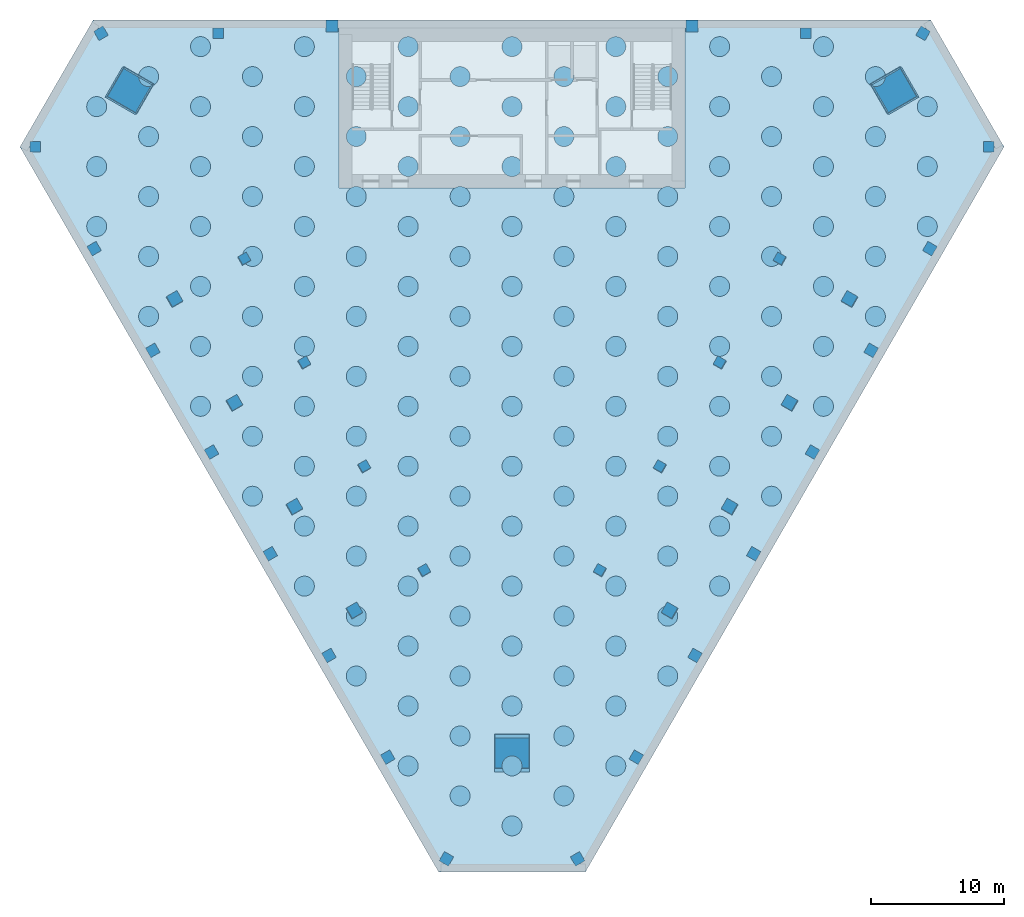
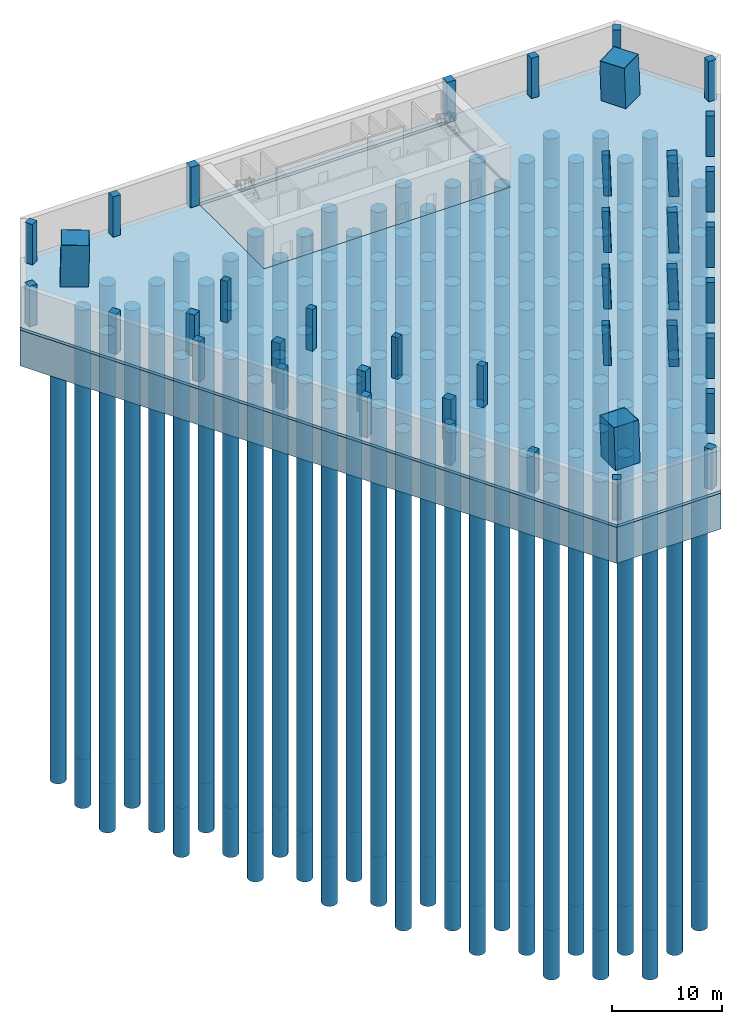
# One storey, part 1 of 5: 154 piles, 41 columns, 3 members, 1 footing, 1 slab.
"""IFC4 building model written with IfcOpenShell, lengths in metres."""

from ifc_helpers import new_model, si_unit, direction, frame, origin, origin_2d, place, context, subcontext, project, spatial, polyline, rectangle, hollow_rectangle, circle, outline, extrude, material, layer, layer_set, material_profile, profile_set, type_object, element, save


model = new_model("IFC4")

# Units and contexts
model_context = context("Model", 3, precision=1e-05, world=origin(), true_north=direction((0.0, 1.0)))
body_context = subcontext(model_context, "Body", "Model", "MODEL_VIEW")
ifc_project = project(units=[si_unit("LENGTHUNIT", "METRE"), si_unit("AREAUNIT", "SQUARE_METRE"), si_unit("VOLUMEUNIT", "CUBIC_METRE"), si_unit("PLANEANGLEUNIT", "RADIAN"), si_unit("MASSUNIT", "GRAM", prefix="KILO")], contexts=[model_context])

# Site, building, storey
site_placement = place(None, origin())
site = spatial("IfcSite", under=ifc_project, at=site_placement, CompositionType="ELEMENT")
building_placement = place(site_placement, origin())
building = spatial("IfcBuilding", under=site, at=building_placement, Name="Altiplano Prism Tower", CompositionType="ELEMENT")
storey_placement = place(building_placement, frame((0.0, 0.0, -9.0)))
storey = spatial("IfcBuildingStorey", under=building, at=storey_placement, Name="B2", CompositionType="ELEMENT", Elevation=-9.0)

# Piles
ifc_material_1 = material(Name="Concrete C35/45", Category="concrete")
ifc_material_profile_1 = material_profile(ifc_material_1, circle(Radius=0.75, at=origin_2d()), Name="Bored pile 1500")
ifc_profile_set_1 = profile_set([ifc_material_profile_1], Name="Concrete C35/45")
pile_type = type_object("IfcPileType", Name="Bored pile 1500", PredefinedType="BORED", material=ifc_profile_set_1)
for number, where, z_axis, x_axis, name in (
    (1, (85.0, 44.5, -4.199951171875), (0.0, 0.0, -1.0), (1.0, 0.0, 0.0), "Pile 001"),
    (2, (81.102783203125, 46.75, -4.199951171875), (0.0, 0.0, -1.0), (1.0, 0.0, 0.0), "Pile 002"),
    (3, (88.897216796875, 46.75, -4.199951171875), (0.0, 0.0, -1.0), (1.0, 0.0, 0.0), "Pile 003"),
    (4, (77.205810546875, 49.0, -4.199951171875), (0.0, 0.0, -1.0), (1.0, 0.0, 0.0), "Pile 004"),
    (5, (85.0, 49.0, -4.199951171875), (0.0, 0.0, -1.0), (1.0, 0.0, 0.0), "Pile 005"),
    (6, (92.794189453125, 49.0, -4.199951171875), (0.0, 0.0, -1.0), (1.0, 0.0, 0.0), "Pile 006"),
    (7, (81.102783203125, 51.25, -4.199951171875), (0.0, 0.0, -1.0), (1.0, 0.0, 0.0), "Pile 007"),
    (8, (88.897216796875, 51.25, -4.199951171875), (0.0, 0.0, -1.0), (1.0, 0.0, 0.0), "Pile 008"),
    (9, (77.205810546875, 53.5, -4.199951171875), (0.0, 0.0, -1.0), (1.0, 0.0, 0.0), "Pile 009"),
    (10, (85.0, 53.5, -4.199951171875), (0.0, 0.0, -1.0), (1.0, 0.0, 0.0), "Pile 010"),
    (11, (92.794189453125, 53.5, -4.199951171875), (0.0, 0.0, -1.0), (1.0, 0.0, 0.0), "Pile 011"),
    (12, (73.30859375, 55.75, -4.199951171875), (0.0, 0.0, -1.0), (1.0, 0.0, 0.0), "Pile 012"),
    (13, (81.102783203125, 55.75, -4.199951171875), (0.0, 0.0, -1.0), (1.0, 0.0, 0.0), "Pile 013"),
    (14, (88.897216796875, 55.75, -4.199951171875), (0.0, 0.0, -1.0), (1.0, 0.0, 0.0), "Pile 014"),
    (15, (96.69140625, 55.75, -4.199951171875), (0.0, 0.0, -1.0), (1.0, 0.0, 0.0), "Pile 015"),
    (16, (77.205810546875, 58.0, -4.199951171875), (0.0, 0.0, -1.0), (1.0, 0.0, 0.0), "Pile 016"),
    (17, (85.0, 58.0, -4.199951171875), (0.0, 0.0, -1.0), (1.0, 0.0, 0.0), "Pile 017"),
    (18, (92.794189453125, 58.0, -4.199951171875), (0.0, 0.0, -1.0), (1.0, 0.0, 0.0), "Pile 018"),
    (19, (73.30859375, 60.25, -4.199951171875), (0.0, 0.0, -1.0), (1.0, 0.0, 0.0), "Pile 019"),
    (20, (81.102783203125, 60.25, -4.199951171875), (0.0, 0.0, -1.0), (1.0, 0.0, 0.0), "Pile 020"),
    (21, (88.897216796875, 60.25, -4.199951171875), (0.0, 0.0, -1.0), (1.0, 0.0, 0.0), "Pile 021"),
    (22, (96.69140625, 60.25, -4.199951171875), (0.0, 0.0, -1.0), (1.0, 0.0, 0.0), "Pile 022"),
    (23, (69.41162109375, 62.5, -4.199951171875), (0.0, 0.0, -1.0), (1.0, 0.0, 0.0), "Pile 023"),
    (24, (77.205810546875, 62.5, -4.199951171875), (0.0, 0.0, -1.0), (1.0, 0.0, 0.0), "Pile 024"),
    (25, (85.0, 62.5, -4.199951171875), (0.0, 0.0, -1.0), (1.0, 0.0, 0.0), "Pile 025"),
    (26, (92.794189453125, 62.5, -4.199951171875), (0.0, 0.0, -1.0), (1.0, 0.0, 0.0), "Pile 026"),
    (27, (100.58837890625, 62.5, -4.199951171875), (0.0, 0.0, -1.0), (1.0, 0.0, 0.0), "Pile 027"),
    (28, (73.30859375, 64.75, -4.199951171875), (0.0, 0.0, -1.0), (1.0, 0.0, 0.0), "Pile 028"),
    (29, (81.102783203125, 64.75, -4.199951171875), (0.0, 0.0, -1.0), (1.0, 0.0, 0.0), "Pile 029"),
    (30, (88.897216796875, 64.75, -4.199951171875), (0.0, 0.0, -1.0), (1.0, 0.0, 0.0), "Pile 030"),
    (31, (96.69140625, 64.75, -4.199951171875), (0.0, 0.0, -1.0), (1.0, 0.0, 0.0), "Pile 031"),
    (32, (69.41162109375, 67.0, -4.199951171875), (0.0, 0.0, -1.0), (1.0, 0.0, 0.0), "Pile 032"),
    (33, (77.205810546875, 67.0, -4.199951171875), (0.0, 0.0, -1.0), (1.0, 0.0, 0.0), "Pile 033"),
    (34, (85.0, 67.0, -4.199951171875), (0.0, 0.0, -1.0), (1.0, 0.0, 0.0), "Pile 034"),
    (35, (92.794189453125, 67.0, -4.199951171875), (0.0, 0.0, -1.0), (1.0, 0.0, 0.0), "Pile 035"),
    (36, (100.58837890625, 67.0, -4.199951171875), (0.0, 0.0, -1.0), (1.0, 0.0, 0.0), "Pile 036"),
    (37, (65.514404296875, 69.25, -4.199951171875), (0.0, 0.0, -1.0), (1.0, 0.0, 0.0), "Pile 037"),
    (38, (73.30859375, 69.25, -4.199951171875), (0.0, 0.0, -1.0), (1.0, 0.0, 0.0), "Pile 038"),
    (39, (81.102783203125, 69.25, -4.199951171875), (0.0, 0.0, -1.0), (1.0, 0.0, 0.0), "Pile 039"),
    (40, (88.897216796875, 69.25, -4.199951171875), (0.0, 0.0, -1.0), (1.0, 0.0, 0.0), "Pile 040"),
    (41, (96.69140625, 69.25, -4.199951171875), (0.0, 0.0, -1.0), (1.0, 0.0, 0.0), "Pile 041"),
    (42, (104.485595703125, 69.25, -4.199951171875), (0.0, 0.0, -1.0), (1.0, 0.0, 0.0), "Pile 042"),
    (43, (69.41162109375, 71.5, -4.199951171875), (0.0, 0.0, -1.0), (1.0, 0.0, 0.0), "Pile 043"),
    (44, (77.205810546875, 71.5, -4.199951171875), (0.0, 0.0, -1.0), (1.0, 0.0, 0.0), "Pile 044"),
    (45, (85.0, 71.5, -4.199951171875), (0.0, 0.0, -1.0), (1.0, 0.0, 0.0), "Pile 045"),
    (46, (92.794189453125, 71.5, -4.199951171875), (0.0, 0.0, -1.0), (1.0, 0.0, 0.0), "Pile 046"),
    (47, (100.58837890625, 71.5, -4.199951171875), (0.0, 0.0, -1.0), (1.0, 0.0, 0.0), "Pile 047"),
    (48, (65.514404296875, 73.75, -4.199951171875), (0.0, 0.0, -1.0), (1.0, 0.0, 0.0), "Pile 048"),
    (49, (73.30859375, 73.75, -4.199951171875), (0.0, 0.0, -1.0), (1.0, 0.0, 0.0), "Pile 049"),
    (50, (81.102783203125, 73.75, -4.199951171875), (0.0, 0.0, -1.0), (1.0, 0.0, 0.0), "Pile 050"),
    (51, (88.897216796875, 73.75, -4.199951171875), (0.0, 0.0, -1.0), (1.0, 0.0, 0.0), "Pile 051"),
    (52, (96.69140625, 73.75, -4.199951171875), (0.0, 0.0, -1.0), (1.0, 0.0, 0.0), "Pile 052"),
    (53, (104.485595703125, 73.75, -4.199951171875), (0.0, 0.0, -1.0), (1.0, 0.0, 0.0), "Pile 053"),
    (54, (61.617431640625, 76.0, -4.199951171875), (0.0, 0.0, -1.0), (1.0, 0.0, 0.0), "Pile 054"),
    (55, (69.41162109375, 76.0, -4.199951171875), (0.0, 0.0, -1.0), (1.0, 0.0, 0.0), "Pile 055"),
    (56, (77.205810546875, 76.0, -4.199951171875), (0.0, 0.0, -1.0), (1.0, 0.0, 0.0), "Pile 056"),
    (57, (85.0, 76.0, -4.199951171875), (0.0, 0.0, -1.0), (1.0, 0.0, 0.0), "Pile 057"),
    (58, (92.794189453125, 76.0, -4.199951171875), (0.0, 0.0, -1.0), (1.0, 0.0, 0.0), "Pile 058"),
    (59, (100.58837890625, 76.0, -4.199951171875), (0.0, 0.0, -1.0), (1.0, 0.0, 0.0), "Pile 059"),
    (60, (108.382568359375, 76.0, -4.199951171875), (0.0, 0.0, -1.0), (1.0, 0.0, 0.0), "Pile 060"),
    (61, (65.514404296875, 78.25, -4.199951171875), (0.0, 0.0, -1.0), (1.0, 0.0, 0.0), "Pile 061"),
    (62, (73.30859375, 78.25, -4.199951171875), (0.0, 0.0, -1.0), (1.0, 0.0, 0.0), "Pile 062"),
    (63, (81.102783203125, 78.25, -4.199951171875), (0.0, 0.0, -1.0), (1.0, 0.0, 0.0), "Pile 063"),
    (64, (88.897216796875, 78.25, -4.199951171875), (0.0, 0.0, -1.0), (1.0, 0.0, 0.0), "Pile 064"),
    (65, (96.69140625, 78.25, -4.199951171875), (0.0, 0.0, -1.0), (1.0, 0.0, 0.0), "Pile 065"),
    (66, (104.485595703125, 78.25, -4.199951171875), (0.0, 0.0, -1.0), (1.0, 0.0, 0.0), "Pile 066"),
    (67, (61.617431640625, 80.5, -4.199951171875), (0.0, 0.0, -1.0), (1.0, 0.0, 0.0), "Pile 067"),
    (68, (69.41162109375, 80.5, -4.199951171875), (0.0, 0.0, -1.0), (1.0, 0.0, 0.0), "Pile 068"),
    (69, (77.205810546875, 80.5, -4.199951171875), (0.0, 0.0, -1.0), (1.0, 0.0, 0.0), "Pile 069"),
    (70, (85.0, 80.5, -4.199951171875), (0.0, 0.0, -1.0), (1.0, 0.0, 0.0), "Pile 070"),
    (71, (92.794189453125, 80.5, -4.199951171875), (0.0, 0.0, -1.0), (1.0, 0.0, 0.0), "Pile 071"),
    (72, (100.58837890625, 80.5, -4.199951171875), (0.0, 0.0, -1.0), (1.0, 0.0, 0.0), "Pile 072"),
    (73, (108.382568359375, 80.5, -4.199951171875), (0.0, 0.0, -1.0), (1.0, 0.0, 0.0), "Pile 073"),
    (74, (57.72021484375, 82.75, -4.199951171875), (0.0, 0.0, -1.0), (1.0, 0.0, 0.0), "Pile 074"),
    (75, (65.514404296875, 82.75, -4.199951171875), (0.0, 0.0, -1.0), (1.0, 0.0, 0.0), "Pile 075"),
    (76, (73.30859375, 82.75, -4.199951171875), (0.0, 0.0, -1.0), (1.0, 0.0, 0.0), "Pile 076"),
    (77, (81.102783203125, 82.75, -4.199951171875), (0.0, 0.0, -1.0), (1.0, 0.0, 0.0), "Pile 077"),
    (78, (88.897216796875, 82.75, -4.199951171875), (0.0, 0.0, -1.0), (1.0, 0.0, 0.0), "Pile 078"),
    (79, (96.69140625, 82.75, -4.199951171875), (0.0, 0.0, -1.0), (1.0, 0.0, 0.0), "Pile 079"),
    (80, (104.485595703125, 82.75, -4.199951171875), (0.0, 0.0, -1.0), (1.0, 0.0, 0.0), "Pile 080"),
    (81, (112.27978515625, 82.75, -4.199951171875), (0.0, 0.0, -1.0), (1.0, 0.0, 0.0), "Pile 081"),
    (82, (61.617431640625, 85.0, -4.199951171875), (0.0, 0.0, -1.0), (1.0, 0.0, 0.0), "Pile 082"),
    (83, (69.41162109375, 85.0, -4.199951171875), (0.0, 0.0, -1.0), (1.0, 0.0, 0.0), "Pile 083"),
    (84, (77.205810546875, 85.0, -4.199951171875), (0.0, 0.0, -1.0), (1.0, 0.0, 0.0), "Pile 084"),
    (85, (85.0, 85.0, -4.199951171875), (0.0, 0.0, -1.0), (1.0, 0.0, 0.0), "Pile 085"),
    (86, (92.794189453125, 85.0, -4.199951171875), (0.0, 0.0, -1.0), (1.0, 0.0, 0.0), "Pile 086"),
    (87, (100.58837890625, 85.0, -4.199951171875), (0.0, 0.0, -1.0), (1.0, 0.0, 0.0), "Pile 087"),
    (88, (108.382568359375, 85.0, -4.199951171875), (0.0, 0.0, -1.0), (1.0, 0.0, 0.0), "Pile 088"),
    (89, (57.72021484375, 87.25, -4.199951171875), (0.0, 0.0, -1.0), (1.0, 0.0, 0.0), "Pile 089"),
    (90, (65.514404296875, 87.25, -4.199951171875), (0.0, 0.0, -1.0), (1.0, 0.0, 0.0), "Pile 090"),
    (91, (73.30859375, 87.25, -4.199951171875), (0.0, 0.0, -1.0), (1.0, 0.0, 0.0), "Pile 091"),
    (92, (81.102783203125, 87.25, -4.199951171875), (0.0, 0.0, -1.0), (1.0, 0.0, 0.0), "Pile 092"),
    (93, (88.897216796875, 87.25, -4.199951171875), (0.0, 0.0, -1.0), (1.0, 0.0, 0.0), "Pile 093"),
    (94, (96.69140625, 87.25, -4.199951171875), (0.0, 0.0, -1.0), (1.0, 0.0, 0.0), "Pile 094"),
    (95, (104.485595703125, 87.25, -4.199951171875), (0.0, 0.0, -1.0), (1.0, 0.0, 0.0), "Pile 095"),
    (96, (112.27978515625, 87.25, -4.199951171875), (0.0, 0.0, -1.0), (1.0, 0.0, 0.0), "Pile 096"),
    (97, (53.822998046875, 89.5, -4.199951171875), (0.0, 0.0, -1.0), (1.0, 0.0, 0.0), "Pile 097"),
    (98, (61.617431640625, 89.5, -4.199951171875), (0.0, 0.0, -1.0), (1.0, 0.0, 0.0), "Pile 098"),
    (99, (69.41162109375, 89.5, -4.199951171875), (0.0, 0.0, -1.0), (1.0, 0.0, 0.0), "Pile 099"),
    (100, (77.205810546875, 89.5, -4.199951171875), (0.0, 0.0, -1.0), (1.0, 0.0, 0.0), "Pile 100"),
    (101, (85.0, 89.5, -4.199951171875), (0.0, 0.0, -1.0), (1.0, 0.0, 0.0), "Pile 101"),
    (102, (92.794189453125, 89.5, -4.199951171875), (0.0, 0.0, -1.0), (1.0, 0.0, 0.0), "Pile 102"),
    (103, (100.58837890625, 89.5, -4.199951171875), (0.0, 0.0, -1.0), (1.0, 0.0, 0.0), "Pile 103"),
    (104, (108.382568359375, 89.5, -4.199951171875), (0.0, 0.0, -1.0), (1.0, 0.0, 0.0), "Pile 104"),
    (105, (116.177001953125, 89.5, -4.199951171875), (0.0, 0.0, -1.0), (1.0, 0.0, 0.0), "Pile 105"),
    (106, (57.72021484375, 91.75, -4.199951171875), (0.0, 0.0, -1.0), (1.0, 0.0, 0.0), "Pile 106"),
    (107, (65.514404296875, 91.75, -4.199951171875), (0.0, 0.0, -1.0), (1.0, 0.0, 0.0), "Pile 107"),
    (108, (73.30859375, 91.75, -4.199951171875), (0.0, 0.0, -1.0), (1.0, 0.0, 0.0), "Pile 108"),
    (109, (81.102783203125, 91.75, -4.199951171875), (0.0, 0.0, -1.0), (1.0, 0.0, 0.0), "Pile 109"),
    (110, (88.897216796875, 91.75, -4.199951171875), (0.0, 0.0, -1.0), (1.0, 0.0, 0.0), "Pile 110"),
    (111, (96.69140625, 91.75, -4.199951171875), (0.0, 0.0, -1.0), (1.0, 0.0, 0.0), "Pile 111"),
    (112, (104.485595703125, 91.75, -4.199951171875), (0.0, 0.0, -1.0), (1.0, 0.0, 0.0), "Pile 112"),
    (113, (112.27978515625, 91.75, -4.199951171875), (0.0, 0.0, -1.0), (1.0, 0.0, 0.0), "Pile 113"),
    (114, (53.822998046875, 94.0, -4.199951171875), (0.0, 0.0, -1.0), (1.0, 0.0, 0.0), "Pile 114"),
    (115, (61.617431640625, 94.0, -4.199951171875), (0.0, 0.0, -1.0), (1.0, 0.0, 0.0), "Pile 115"),
    (116, (69.41162109375, 94.0, -4.199951171875), (0.0, 0.0, -1.0), (1.0, 0.0, 0.0), "Pile 116"),
    (117, (77.205810546875, 94.0, -4.199951171875), (0.0, 0.0, -1.0), (1.0, 0.0, 0.0), "Pile 117"),
    (118, (85.0, 94.0, -4.199951171875), (0.0, 0.0, -1.0), (1.0, 0.0, 0.0), "Pile 118"),
    (119, (92.794189453125, 94.0, -4.199951171875), (0.0, 0.0, -1.0), (1.0, 0.0, 0.0), "Pile 119"),
    (120, (100.58837890625, 94.0, -4.199951171875), (0.0, 0.0, -1.0), (1.0, 0.0, 0.0), "Pile 120"),
    (121, (108.382568359375, 94.0, -4.199951171875), (0.0, 0.0, -1.0), (1.0, 0.0, 0.0), "Pile 121"),
    (122, (116.177001953125, 94.0, -4.199951171875), (0.0, 0.0, -1.0), (1.0, 0.0, 0.0), "Pile 122"),
    (123, (57.72021484375, 96.25, -4.199951171875), (0.0, 0.0, -1.0), (1.0, 0.0, 0.0), "Pile 123"),
    (124, (65.514404296875, 96.25, -4.199951171875), (0.0, 0.0, -1.0), (1.0, 0.0, 0.0), "Pile 124"),
    (125, (73.30859375, 96.25, -4.199951171875), (0.0, 0.0, -1.0), (1.0, 0.0, 0.0), "Pile 125"),
    (126, (81.102783203125, 96.25, -4.199951171875), (0.0, 0.0, -1.0), (1.0, 0.0, 0.0), "Pile 126"),
    (127, (88.897216796875, 96.25, -4.199951171875), (0.0, 0.0, -1.0), (1.0, 0.0, 0.0), "Pile 127"),
    (128, (96.69140625, 96.25, -4.199951171875), (0.0, 0.0, -1.0), (1.0, 0.0, 0.0), "Pile 128"),
    (129, (104.485595703125, 96.25, -4.199951171875), (0.0, 0.0, -1.0), (1.0, 0.0, 0.0), "Pile 129"),
    (130, (112.27978515625, 96.25, -4.199951171875), (0.0, 0.0, -1.0), (1.0, 0.0, 0.0), "Pile 130"),
    (131, (53.822998046875, 98.5, -4.199951171875), (0.0, 0.0, -1.0), (1.0, 0.0, 0.0), "Pile 131"),
    (132, (61.617431640625, 98.5, -4.199951171875), (0.0, 0.0, -1.0), (1.0, 0.0, 0.0), "Pile 132"),
    (133, (69.41162109375, 98.5, -4.199951171875), (0.0, 0.0, -1.0), (1.0, 0.0, 0.0), "Pile 133"),
    (134, (77.205810546875, 98.5, -4.199951171875), (0.0, 0.0, -1.0), (1.0, 0.0, 0.0), "Pile 134"),
    (135, (85.0, 98.5, -4.199951171875), (0.0, 0.0, -1.0), (1.0, 0.0, 0.0), "Pile 135"),
    (136, (92.794189453125, 98.5, -4.199951171875), (0.0, 0.0, -1.0), (1.0, 0.0, 0.0), "Pile 136"),
    (137, (100.58837890625, 98.5, -4.199951171875), (0.0, 0.0, -1.0), (1.0, 0.0, 0.0), "Pile 137"),
    (138, (108.382568359375, 98.5, -4.199951171875), (0.0, 0.0, -1.0), (1.0, 0.0, 0.0), "Pile 138"),
    (139, (116.177001953125, 98.5, -4.199951171875), (0.0, 0.0, -1.0), (1.0, 0.0, 0.0), "Pile 139"),
    (140, (57.72021484375, 100.75, -4.199951171875), (0.0, 0.0, -1.0), (1.0, 0.0, 0.0), "Pile 140"),
    (141, (65.514404296875, 100.75, -4.199951171875), (0.0, 0.0, -1.0), (1.0, 0.0, 0.0), "Pile 141"),
    (142, (73.30859375, 100.75, -4.199951171875), (0.0, 0.0, -1.0), (1.0, 0.0, 0.0), "Pile 142"),
    (143, (81.102783203125, 100.75, -4.199951171875), (0.0, 0.0, -1.0), (1.0, 0.0, 0.0), "Pile 143"),
    (144, (88.897216796875, 100.75, -4.199951171875), (0.0, 0.0, -1.0), (1.0, 0.0, 0.0), "Pile 144"),
    (145, (96.69140625, 100.75, -4.199951171875), (0.0, 0.0, -1.0), (1.0, 0.0, 0.0), "Pile 145"),
    (146, (104.485595703125, 100.75, -4.199951171875), (0.0, 0.0, -1.0), (1.0, 0.0, 0.0), "Pile 146"),
    (147, (112.27978515625, 100.75, -4.199951171875), (0.0, 0.0, -1.0), (1.0, 0.0, 0.0), "Pile 147"),
    (148, (61.617431640625, 103.0, -4.199951171875), (0.0, 0.0, -1.0), (1.0, 0.0, 0.0), "Pile 148"),
    (149, (69.41162109375, 103.0, -4.199951171875), (0.0, 0.0, -1.0), (1.0, 0.0, 0.0), "Pile 149"),
    (150, (77.205810546875, 103.0, -4.199951171875), (0.0, 0.0, -1.0), (1.0, 0.0, 0.0), "Pile 150"),
    (151, (85.0, 103.0, -4.199951171875), (0.0, 0.0, -1.0), (1.0, 0.0, 0.0), "Pile 151"),
    (152, (92.794189453125, 103.0, -4.199951171875), (0.0, 0.0, -1.0), (1.0, 0.0, 0.0), "Pile 152"),
    (153, (100.58837890625, 103.0, -4.199951171875), (0.0, 0.0, -1.0), (1.0, 0.0, 0.0), "Pile 153"),
    (154, (108.382568359375, 103.0, -4.199951171875), (0.0, 0.0, -1.0), (1.0, 0.0, 0.0), "Pile 154"),
):
    element("IfcPile", number, at=place(storey_placement, frame(where, z_axis=z_axis, x_axis=x_axis)), inside=storey, type_object=pile_type, Name=name, PredefinedType="BORED", context=body_context, shape_type="SweptSolid", body=[
        extrude(circle(Radius=0.75, at=origin_2d()), origin(), (0.0, 0.0, 1.0), 50.0),
    ])

# Footing
ifc_material_2 = material(Name="Concrete C40/50", Category="concrete")
ifc_layer_1 = layer(ifc_material_2, 4.0)
ifc_layer_set_1 = layer_set([ifc_layer_1], Name="Concrete C40/50")
footing_type = type_object("IfcFootingType", Name="Raft 4000", PredefinedType="PILE_CAP", material=ifc_layer_set_1)
footing_placement = place(storey_placement, frame((0.0, 0.0, -4.300048828125)))
element("IfcFooting", 155, at=footing_placement, inside=storey, type_object=footing_type, Name="Raft", PredefinedType="PILE_CAP", context=body_context, shape_type="SweptSolid", body=[
    extrude(outline(polyline([(116.435302734375, 105.0), (53.564697265625, 105.0), (48.064697265625, 95.4736328125), (79.5, 41.0263671875), (90.5, 41.0263671875), (121.935302734375, 95.4736328125), (116.435302734375, 105.0)])), origin(), (0.0, 0.0, 1.0), 4.0),
])

# Columns
ifc_material_3 = material(Name="Concrete C60/75", Category="concrete")
ifc_material_profile_2 = material_profile(ifc_material_3, rectangle(XDim=0.699951171875, YDim=0.699951171875, at=origin_2d()), Name="Inner column 700")
ifc_profile_set_2 = profile_set([ifc_material_profile_2], Name="Concrete C60/75")
column_type_1 = type_object("IfcColumnType", Name="Inner column 700", PredefinedType="COLUMN", material=ifc_profile_set_2)
for number, where, z_axis, x_axis, name in (
    (156, (64.887939453125, 87.047607421875, -0.215087890625), (0.022187611742, 0.038451598804, 0.999014106224), (-0.865480136772, -0.499465745016, 0.038446097457), "Inner column I11 B2"),
    (157, (69.387939453125, 79.25341796875, -0.215087890625), (0.022187611742, 0.038451598804, 0.999014106224), (-0.865478878997, -0.499467920202, 0.038446153245), "Inner column I12 B2"),
    (158, (73.887939453125, 71.459228515625, -0.215087890625), (0.022187611742, 0.038451598804, 0.999014106224), (-0.865480136772, -0.499465745016, 0.038446097457), "Inner column I13 B2"),
    (159, (78.387939453125, 63.6650390625, -0.215087890625), (0.022187656044, 0.038399713855, 0.999016100919), (-0.865772074253, -0.498962521467, 0.038407259912), "Inner column I14 B2"),
    (160, (91.612060546875, 63.6650390625, -0.215087890625), (-0.022187656044, 0.038399713855, 0.999016100919), (-0.499946420491, -0.865772408978, 0.02217459111), "Inner column I21 B2"),
    (161, (96.112060546875, 71.459228515625, -0.215087890625), (-0.022187611742, 0.038451598804, 0.999014106224), (-0.500451638761, -0.865479892375, 0.022197142963), "Inner column I22 B2"),
    (162, (100.612060546875, 79.25341796875, -0.215087890625), (-0.022187611742, 0.038451598804, 0.999014106224), (-0.500453813948, -0.865478637078, 0.022197046337), "Inner column I23 B2"),
    (163, (105.112060546875, 87.047607421875, -0.215087890625), (-0.022187611742, 0.038451598804, 0.999014106224), (-0.500451638761, -0.865479892375, 0.022197142963), "Inner column I24 B2"),
):
    element("IfcColumn", number, at=place(storey_placement, frame(where, z_axis=z_axis, x_axis=x_axis)), inside=storey, type_object=column_type_1, Name=name, PredefinedType="COLUMN", context=body_context, shape_type="SweptSolid", body=[
        extrude(rectangle(XDim=0.699951171875, YDim=0.699951171875, at=origin_2d()), origin(), (0.0, 0.0, 1.0), 4.698486328125),
    ])
ifc_material_4 = material(Name="Concrete C70/85", Category="concrete")
ifc_material_profile_3 = material_profile(ifc_material_4, rectangle(XDim=2.52001953125, YDim=2.52001953125, at=origin_2d()), Name="Mega column infill 2600")
ifc_profile_set_3 = profile_set([ifc_material_profile_3], Name="Concrete C70/85")
column_type_2 = type_object("IfcColumnType", Name="Mega column infill 2600", PredefinedType="COLUMN", material=ifc_profile_set_3)
column_1_placement = place(storey_placement, frame((56.22412109375, 99.6845703125, -0.215087890625), z_axis=(0.028413750885, 0.009264228431, 0.999553316653), x_axis=(-0.86578192821, 0.500022583258, 0.019976711862)))
element("IfcColumn", 164, at=column_1_placement, inside=storey, type_object=column_type_2, Name="Mega column M0 B2", PredefinedType="COLUMN", context=body_context, shape_type="SweptSolid", body=[
    extrude(rectangle(XDim=2.52001953125, YDim=2.52001953125, at=origin_2d()), origin(), (0.0, 0.0, 1.0), 4.71728515625),
])
column_2_placement = place(storey_placement, frame((85.0, 49.84326171875, -0.215087890625), z_axis=(0.0, 0.058358403192, 0.998295696062), x_axis=(-1.0, 0.0, 0.0)))
element("IfcColumn", 165, at=column_2_placement, inside=storey, type_object=column_type_2, Name="Mega column M1 B2", PredefinedType="COLUMN", context=body_context, shape_type="SweptSolid", body=[
    extrude(rectangle(XDim=2.52001953125, YDim=2.52001953125, at=origin_2d()), origin(), (0.0, 0.0, 1.0), 4.72314453125),
])
column_3_placement = place(storey_placement, frame((113.77587890625, 99.6845703125, -0.215087890625), z_axis=(-0.028413750885, 0.009264228431, 0.999553316653), x_axis=(0.499614162675, -0.865962811155, 0.022228318672)))
element("IfcColumn", 166, at=column_3_placement, inside=storey, type_object=column_type_2, Name="Mega column M2 B2", PredefinedType="COLUMN", context=body_context, shape_type="SweptSolid", body=[
    extrude(rectangle(XDim=2.52001953125, YDim=2.52001953125, at=origin_2d()), origin(), (0.0, 0.0, 1.0), 4.71728515625),
])
ifc_material_profile_4 = material_profile(ifc_material_3, rectangle(XDim=0.89990234375, YDim=0.89990234375, at=origin_2d()), Name="Perimeter column 900")
ifc_profile_set_4 = profile_set([ifc_material_profile_4], Name="Concrete C60/75")
column_type_3 = type_object("IfcColumnType", Name="Perimeter column 900", PredefinedType="COLUMN", material=ifc_profile_set_4)
for number, where, z_axis, x_axis, name in (
    (167, (98.5, 104.550048828125, -0.215087890625), (0.0, 0.0, 1.0), (1.0, 0.0, 0.0), "Perimeter column P01 B2"),
    (168, (71.5, 104.550048828125, -0.215087890625), (0.0, 0.0, 1.0), (1.0, 0.0, 0.0), "Perimeter column P04 B2"),
):
    element("IfcColumn", number, at=place(storey_placement, frame(where, z_axis=z_axis, x_axis=x_axis)), inside=storey, type_object=column_type_3, Name=name, PredefinedType="COLUMN", context=body_context, shape_type="SweptSolid", body=[
        extrude(rectangle(XDim=0.89990234375, YDim=0.89990234375, at=origin_2d()), origin(), (0.0, 0.0, 1.0), 4.715087890625),
    ])
for number, where, z_axis, x_axis, name in (
    (169, (59.6484375, 84.022705078125, -0.215087890625), (0.022216487786, 0.038449612351, 0.99901354094), (-0.865772221594, -0.498958425944, 0.03845711241), "Perimeter column P11 B2"),
    (170, (64.1484375, 76.228271484375, -0.215087890625), (0.022216487786, 0.038449612351, 0.99901354094), (-0.865770965093, -0.498960601866, 0.038457168214), "Perimeter column P12 B2"),
    (171, (68.6484375, 68.43408203125, -0.215087890625), (0.022216487786, 0.038449612351, 0.99901354094), (-0.865772221594, -0.498958425944, 0.03845711241), "Perimeter column P13 B2"),
    (172, (73.1484375, 60.639892578125, -0.215087890625), (0.022216487786, 0.038449612351, 0.99901354094), (-0.865770965093, -0.498960601866, 0.038457168214), "Perimeter column P14 B2"),
    (173, (96.8515625, 60.639892578125, -0.215087890625), (-0.022216487786, 0.038449612351, 0.99901354094), (-0.49994706087, -0.865771300688, 0.022203405876), "Perimeter column P21 B2"),
    (174, (101.3515625, 68.43408203125, -0.215087890625), (-0.022216487786, 0.038449612351, 0.99901354094), (-0.499944884948, -0.86577255471, 0.022203502529), "Perimeter column P22 B2"),
    (175, (105.8515625, 76.228271484375, -0.215087890625), (-0.022216487786, 0.038449612351, 0.99901354094), (-0.49994706087, -0.865771300688, 0.022203405876), "Perimeter column P23 B2"),
    (176, (110.3515625, 84.022705078125, -0.215087890625), (-0.022216487786, 0.038449612351, 0.99901354094), (-0.499944884948, -0.86577255471, 0.022203502529), "Perimeter column P24 B2"),
):
    element("IfcColumn", number, at=place(storey_placement, frame(where, z_axis=z_axis, x_axis=x_axis)), inside=storey, type_object=column_type_3, Name=name, PredefinedType="COLUMN", context=body_context, shape_type="SweptSolid", body=[
        extrude(rectangle(XDim=0.89990234375, YDim=0.89990234375, at=origin_2d()), origin(), (0.0, 0.0, 1.0), 4.6923828125),
    ])
ifc_material_profile_5 = material_profile(ifc_material_3, rectangle(XDim=0.800048828125, YDim=0.800048828125, at=origin_2d()), Name="Podium column 800")
ifc_profile_set_5 = profile_set([ifc_material_profile_5], Name="Concrete C60/75")
column_type_4 = type_object("IfcColumnType", Name="Podium column 800", PredefinedType="COLUMN", material=ifc_profile_set_5)
for number, where, z_axis, x_axis, name in (
    (177, (115.85791015625, 104.0, -0.215087890625), (0.0, 0.0, 1.0), (0.500000015115, 0.866025395058, 0.0), "PC Q01 B2"),
    (178, (107.041259765625, 104.0, -0.215087890625), (0.0, 0.0, 1.0), (1.0, 0.0, 0.0), "PC Q02 B2"),
    (179, (62.958740234375, 104.0, -0.215087890625), (0.0, 0.0, 1.0), (1.0, 0.0, 0.0), "PC Q07 B2"),
    (180, (54.14208984375, 104.0, -0.215087890625), (0.0, 0.0, 1.0), (0.866025395058, 0.500000015115, 0.0), "PC Q08 B2"),
    (181, (49.219482421875, 95.4736328125, -0.215087890625), (0.0, 0.0, 1.0), (1.0, 1.7453e-08, 0.0), "PC Q09 B2"),
    (182, (53.627685546875, 87.83837890625, -0.215087890625), (0.0, 0.0, 1.0), (0.866025412511, 0.499999984885, 0.0), "PC Q10 B2"),
    (183, (58.035888671875, 80.203125, -0.215087890625), (0.0, 0.0, 1.0), (0.866025412511, 0.499999984885, 0.0), "PC Q11 B2"),
    (184, (62.4443359375, 72.567626953125, -0.215087890625), (0.0, 0.0, 1.0), (0.866025412511, 0.499999984885, 0.0), "PC Q12 B2"),
    (185, (66.8525390625, 64.932373046875, -0.215087890625), (0.0, 0.0, 1.0), (0.866025412511, 0.499999984885, 0.0), "PC Q13 B2"),
    (186, (71.2607421875, 57.296875, -0.215087890625), (0.0, 0.0, 1.0), (0.866025412511, 0.499999984885, 0.0), "PC Q14 B2"),
    (187, (75.669189453125, 49.66162109375, -0.215087890625), (0.0, 0.0, 1.0), (0.866025412511, 0.499999984885, 0.0), "PC Q15 B2"),
    (188, (80.077392578125, 42.0263671875, -0.215087890625), (0.0, 0.0, 1.0), (0.5, 0.866025403784, 0.0), "PC Q16 B2"),
    (189, (89.922607421875, 42.0263671875, -0.215087890625), (0.0, 0.0, 1.0), (0.866025403784, 0.5, 0.0), "PC Q17 B2"),
    (190, (94.330810546875, 49.66162109375, -0.215087890625), (0.0, 0.0, 1.0), (0.499999984885, 0.866025412511, 0.0), "PC Q18 B2"),
    (191, (98.7392578125, 57.296875, -0.215087890625), (0.0, 0.0, 1.0), (0.499999984885, 0.866025412511, 0.0), "PC Q19 B2"),
    (192, (103.1474609375, 64.932373046875, -0.215087890625), (0.0, 0.0, 1.0), (0.499999984885, 0.866025412511, 0.0), "PC Q20 B2"),
    (193, (107.5556640625, 72.567626953125, -0.215087890625), (0.0, 0.0, 1.0), (0.499999984885, 0.866025412511, 0.0), "PC Q21 B2"),
    (194, (111.964111328125, 80.203125, -0.215087890625), (0.0, 0.0, 1.0), (0.499999984885, 0.866025412511, 0.0), "PC Q22 B2"),
    (195, (116.372314453125, 87.83837890625, -0.215087890625), (0.0, 0.0, 1.0), (0.499999984885, 0.866025412511, 0.0), "PC Q23 B2"),
    (196, (120.780517578125, 95.4736328125, -0.215087890625), (0.0, 0.0, 1.0), (1.7453e-08, 1.0, 0.0), "PC Q24 B2"),
):
    element("IfcColumn", number, at=place(storey_placement, frame(where, z_axis=z_axis, x_axis=x_axis)), inside=storey, type_object=column_type_4, Name=name, PredefinedType="COLUMN", context=body_context, shape_type="SweptSolid", body=[
        extrude(rectangle(XDim=0.800048828125, YDim=0.800048828125, at=origin_2d()), origin(), (0.0, 0.0, 1.0), 4.715087890625),
    ])

# Members
ifc_material_5 = material(Name="Steel S460", Category="steel")
ifc_material_profile_6 = material_profile(ifc_material_5, hollow_rectangle(XDim=2.60009765625, YDim=2.60009765625, WallThickness=0.0400390625, at=origin_2d()), Name="Mega column tube 2600")
ifc_profile_set_6 = profile_set([ifc_material_profile_6], Name="Steel S460")
member_type = type_object("IfcMemberType", Name="Mega column tube 2600", PredefinedType="POST", material=ifc_profile_set_6)
member_1_placement = place(storey_placement, frame((56.22412109375, 99.6845703125, -0.215087890625), z_axis=(0.028413750885, 0.009264228431, 0.999553316653), x_axis=(-0.86578192821, 0.500022583258, 0.019976711862)))
element("IfcMember", 197, at=member_1_placement, inside=storey, type_object=member_type, Name="Mega column tube M0 B2", PredefinedType="POST", context=body_context, shape_type="SweptSolid", body=[
    extrude(hollow_rectangle(XDim=2.60009765625, YDim=2.60009765625, WallThickness=0.0400390625, at=origin_2d()), origin(), (0.0, 0.0, 1.0), 4.71728515625),
])
member_2_placement = place(storey_placement, frame((85.0, 49.8447265625, -0.192138671875), z_axis=(0.0, 0.058332264024, 0.998297223763), x_axis=(-1.0, 0.0, 0.0)))
element("IfcMember", 198, at=member_2_placement, inside=storey, type_object=member_type, Name="Mega column tube M1 B2", PredefinedType="POST", context=body_context, shape_type="SweptSolid", body=[
    extrude(hollow_rectangle(XDim=2.60009765625, YDim=2.60009765625, WallThickness=0.0400390625, at=origin_2d()), origin(), (0.0, 0.0, 1.0), 4.7001953125),
])
member_3_placement = place(storey_placement, frame((113.77587890625, 99.6845703125, -0.215087890625), z_axis=(-0.028413750885, 0.009264228431, 0.999553316653), x_axis=(0.499614162675, -0.865962811155, 0.022228318672)))
element("IfcMember", 199, at=member_3_placement, inside=storey, type_object=member_type, Name="Mega column tube M2 B2", PredefinedType="POST", context=body_context, shape_type="SweptSolid", body=[
    extrude(hollow_rectangle(XDim=2.60009765625, YDim=2.60009765625, WallThickness=0.0400390625, at=origin_2d()), origin(), (0.0, 0.0, 1.0), 4.71728515625),
])

# Slab
ifc_layer_2 = layer(ifc_material_2, 0.300048828125)
ifc_layer_set_2 = layer_set([ifc_layer_2], Name="Concrete C40/50")
slab_type = type_object("IfcSlabType", Name="Base slab 300", PredefinedType="BASESLAB", material=ifc_layer_set_2)
slab_placement = place(storey_placement, frame((0.0, 0.0, -0.300048828125)))
element("IfcSlab", 200, at=slab_placement, inside=storey, type_object=slab_type, Name="Floor slab B2", PredefinedType="BASESLAB", context=body_context, shape_type="SweptSolid", body=[
    extrude(outline(polyline([(121.935302734375, 95.4736328125), (90.5, 41.0263671875), (79.5, 41.0263671875), (48.064697265625, 95.4736328125), (53.564697265625, 105.0), (116.435302734375, 105.0), (121.935302734375, 95.4736328125)]), holes=[polyline([(98.0, 92.39990234375), (98.0, 104.39990234375), (72.0, 104.39990234375), (72.0, 92.39990234375), (98.0, 92.39990234375)])]), origin(), (0.0, 0.0, 1.0), 0.300048828125),
])

save(model, "model.ifc")
